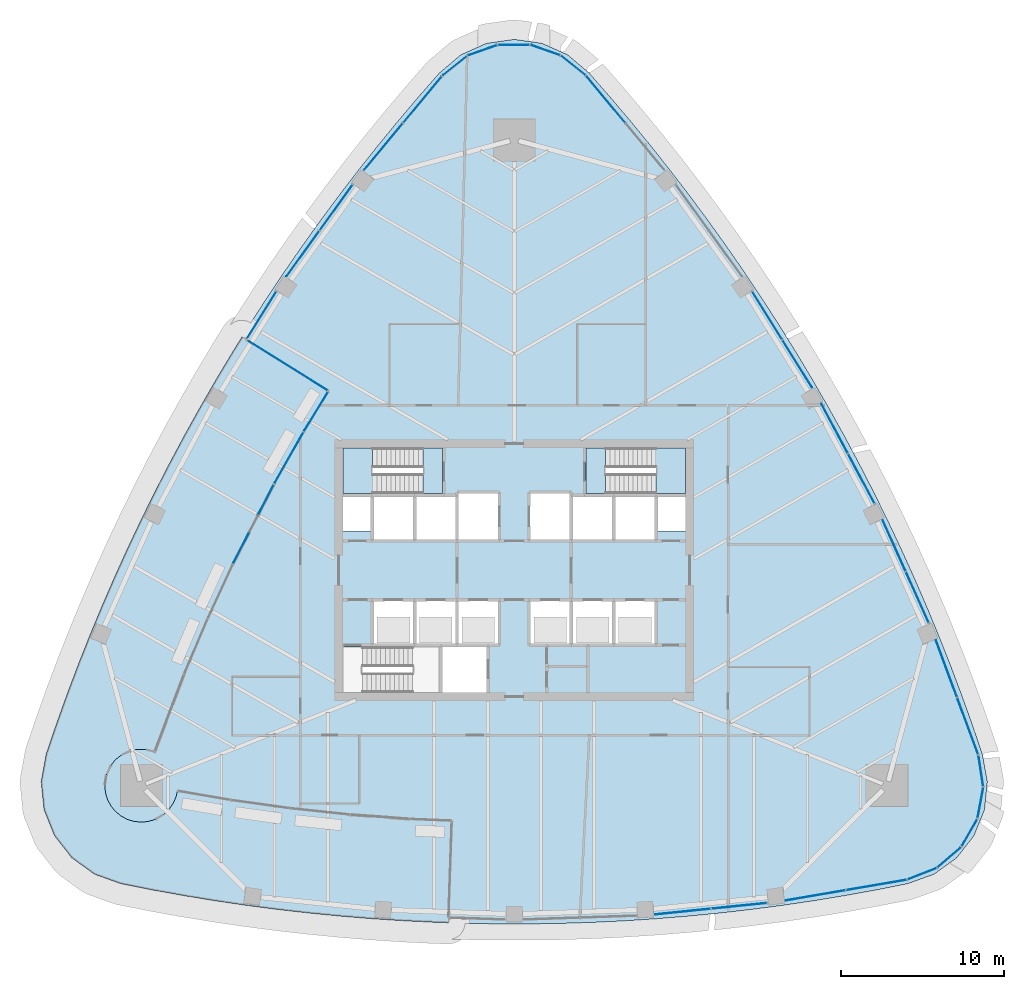
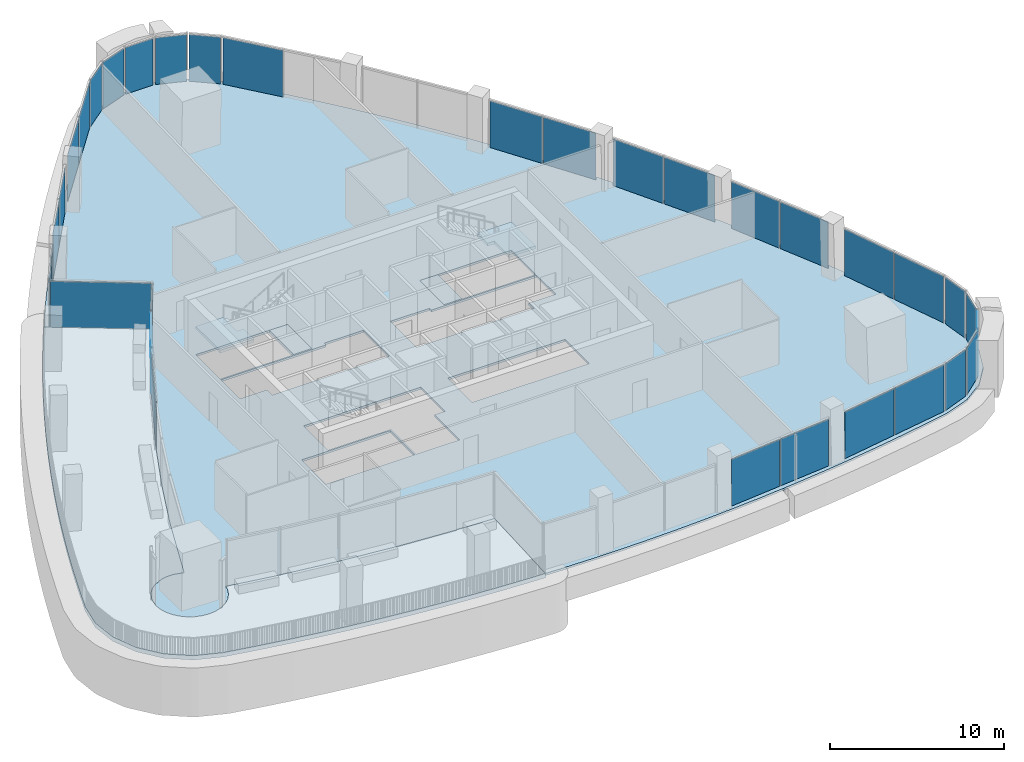
# One storey, part 8 of 18: 32 plates, 6 slabs, 26 elements without a shape of their own.
"""IFC4 building model written with IfcOpenShell, lengths in metres."""

from ifc_helpers import new_model, si_unit, direction, frame, origin, origin_2d, place, context, subcontext, project, spatial, polyline, rectangle, outline, extrude, material, layer, layer_set, type_object, element, aggregate, save


model = new_model("IFC4")

# Units and contexts
model_context = context("Model", 3, precision=1e-05, world=origin(), true_north=direction((0.0, 1.0)))
body_context = subcontext(model_context, "Body", "Model", "MODEL_VIEW")
ifc_project = project(units=[si_unit("LENGTHUNIT", "METRE"), si_unit("AREAUNIT", "SQUARE_METRE"), si_unit("VOLUMEUNIT", "CUBIC_METRE"), si_unit("PLANEANGLEUNIT", "RADIAN"), si_unit("MASSUNIT", "GRAM", prefix="KILO")], contexts=[model_context])

# Site, building, storey
site_placement = place(None, origin())
site = spatial("IfcSite", under=ifc_project, at=site_placement, CompositionType="ELEMENT")
building_placement = place(site_placement, origin())
building = spatial("IfcBuilding", under=site, at=building_placement, Name="Sierra Prisma Convention Tower", CompositionType="ELEMENT")
storey_placement = place(building_placement, frame((0.0, 0.0, 205.800048828125)))
storey = spatial("IfcBuildingStorey", under=building, at=storey_placement, Name="L46", CompositionType="ELEMENT", Elevation=205.800048828125)

# Curtain wall, plates
ifc_material_1 = material(Name="Aluminium and glass curtain wall", Category="aluminium")
ifc_layer_1 = layer(ifc_material_1, 0.179931640625)
ifc_layer_set_1 = layer_set([ifc_layer_1], Name="CW-1 Plain shaft curtain wall")
curtain_wall_type_1 = type_object("IfcCurtainWallType", Name="CW-1 Plain shaft curtain wall", PredefinedType="NOTDEFINED", material=ifc_layer_set_1)
curtain_wall_1_placement = place(storey_placement, origin())
curtain_wall_1 = element("IfcCurtainWall", 1, at=curtain_wall_1_placement, inside=storey, type_object=curtain_wall_type_1, Name="CW-1 S5 L46", PredefinedType="NOTDEFINED")
ifc_material_2 = material(Name="Tinted glass bronze-grey IGU", Category="glass")
ifc_layer_2 = layer(ifc_material_2, 0.028076171875)
ifc_layer_set_2 = layer_set([ifc_layer_2], Name="CW-1 glass panel")
plate_type_1 = type_object("IfcPlateType", Name="CW-1 glass panel", PredefinedType="CURTAIN_PANEL", material=ifc_layer_set_2)
plate_1_placement = place(storey_placement, frame((10.32568359375, -20.91650390625, 0.0), z_axis=(0.0, 0.0, 1.0), x_axis=(0.994817936542, 0.101672381373, 0.0)))
plate_1 = element("IfcPlate", 2, at=plate_1_placement, type_object=plate_type_1, Name="CW-1 panel S5.1", PredefinedType="CURTAIN_PANEL", context=body_context, shape_type="SweptSolid", body=[
    extrude(rectangle(XDim=3.406982421875, YDim=0.028076171875, at=origin_2d()), origin(), (0.0, 0.0, 1.0), 3.280029296875),
])
plate_2_placement = place(storey_placement, frame((13.78466796875, -20.56298828125, 0.0), z_axis=(0.0, 0.0, 1.0), x_axis=(0.994817936542, 0.101672381373, 0.0)))
plate_2 = element("IfcPlate", 3, at=plate_2_placement, type_object=plate_type_1, Name="CW-1 panel S5.2", PredefinedType="CURTAIN_PANEL", context=body_context, shape_type="SweptSolid", body=[
    extrude(rectangle(XDim=3.406982421875, YDim=0.028076171875, at=origin_2d()), origin(), (0.0, 0.0, 1.0), 3.280029296875),
])
aggregate(curtain_wall_1, [plate_1, plate_2])

curtain_wall_2_placement = place(storey_placement, origin())
curtain_wall_2 = element("IfcCurtainWall", 4, at=curtain_wall_2_placement, inside=storey, type_object=curtain_wall_type_1, Name="CW-1 S6 L46", PredefinedType="NOTDEFINED")
plate_3_placement = place(storey_placement, frame((18.465576171875, -19.920166015625, 0.0), z_axis=(0.0, 0.0, 1.0), x_axis=(0.985627490503, 0.168933270748, 0.0)))
plate_3 = element("IfcPlate", 5, at=plate_3_placement, type_object=plate_type_1, Name="CW-1 panel S6.1", PredefinedType="CURTAIN_PANEL", context=body_context, shape_type="SweptSolid", body=[
    extrude(rectangle(XDim=3.67919921875, YDim=0.028076171875, at=origin_2d()), origin(), (0.0, 0.0, 1.0), 3.280029296875),
])
plate_4_placement = place(storey_placement, frame((22.1611328125, -19.286865234375, 0.0), z_axis=(0.0, 0.0, 1.0), x_axis=(0.985627490503, 0.168933270748, 0.0)))
plate_4 = element("IfcPlate", 6, at=plate_4_placement, type_object=plate_type_1, Name="CW-1 panel S6.2", PredefinedType="CURTAIN_PANEL", context=body_context, shape_type="SweptSolid", body=[
    extrude(rectangle(XDim=3.67919921875, YDim=0.028076171875, at=origin_2d()), origin(), (0.0, 0.0, 1.0), 3.280029296875),
])
aggregate(curtain_wall_2, [plate_3, plate_4])

# Curtain wall, plate
curtain_wall_3_placement = place(storey_placement, origin())
curtain_wall_3 = element("IfcCurtainWall", 7, at=curtain_wall_3_placement, inside=storey, type_object=curtain_wall_type_1, Name="CW-1 SE1 L46", PredefinedType="NOTDEFINED")
plate_5_placement = place(storey_placement, frame((24.96484375, -18.604248046875, 0.0), z_axis=(0.0, 0.0, 1.0), x_axis=(0.93145791115, 0.363849089261, 0.0)))
plate_5 = element("IfcPlate", 8, at=plate_5_placement, type_object=plate_type_1, Name="CW-1 panel SE1.1", PredefinedType="CURTAIN_PANEL", context=body_context, shape_type="SweptSolid", body=[
    extrude(rectangle(XDim=1.8388671875, YDim=0.028076171875, at=origin_2d()), origin(), (0.0, 0.0, 1.0), 3.280029296875),
])
aggregate(curtain_wall_3, [plate_5])

curtain_wall_4_placement = place(storey_placement, origin())
curtain_wall_4 = element("IfcCurtainWall", 9, at=curtain_wall_4_placement, inside=storey, type_object=curtain_wall_type_1, Name="CW-1 SE2 L46", PredefinedType="NOTDEFINED")
plate_6_placement = place(storey_placement, frame((26.636962890625, -17.599365234375, 0.0), z_axis=(0.0, 0.0, 1.0), x_axis=(0.758494034622, 0.651679982386, 0.0)))
plate_6 = element("IfcPlate", 10, at=plate_6_placement, type_object=plate_type_1, Name="CW-1 panel SE2.1", PredefinedType="CURTAIN_PANEL", context=body_context, shape_type="SweptSolid", body=[
    extrude(rectangle(XDim=1.8388671875, YDim=0.028076171875, at=origin_2d()), origin(), (0.0, 0.0, 1.0), 3.280029296875),
])
aggregate(curtain_wall_4, [plate_6])

curtain_wall_5_placement = place(storey_placement, origin())
curtain_wall_5 = element("IfcCurtainWall", 11, at=curtain_wall_5_placement, inside=storey, type_object=curtain_wall_type_1, Name="CW-1 SE3 L46", PredefinedType="NOTDEFINED")
plate_7_placement = place(storey_placement, frame((27.882080078125, -16.09765625, 0.0), z_axis=(0.0, 0.0, 1.0), x_axis=(0.5, 0.866025403784, 0.0)))
plate_7 = element("IfcPlate", 12, at=plate_7_placement, type_object=plate_type_1, Name="CW-1 panel SE3.1", PredefinedType="CURTAIN_PANEL", context=body_context, shape_type="SweptSolid", body=[
    extrude(rectangle(XDim=1.8388671875, YDim=0.028076171875, at=origin_2d()), origin(), (0.0, 0.0, 1.0), 3.280029296875),
])
aggregate(curtain_wall_5, [plate_7])

curtain_wall_6_placement = place(storey_placement, origin())
curtain_wall_6 = element("IfcCurtainWall", 13, at=curtain_wall_6_placement, inside=storey, type_object=curtain_wall_type_1, Name="CW-1 SE4 L46", PredefinedType="NOTDEFINED")
plate_8_placement = place(storey_placement, frame((28.56005859375, -14.2685546875, 0.0), z_axis=(0.0, 0.0, 1.0), x_axis=(0.185124402573, 0.982715093795, 0.0)))
plate_8 = element("IfcPlate", 14, at=plate_8_placement, type_object=plate_type_1, Name="CW-1 panel SE4.1", PredefinedType="CURTAIN_PANEL", context=body_context, shape_type="SweptSolid", body=[
    extrude(rectangle(XDim=1.8388671875, YDim=0.028076171875, at=origin_2d()), origin(), (0.0, 0.0, 1.0), 3.280029296875),
])
aggregate(curtain_wall_6, [plate_8])

curtain_wall_7_placement = place(storey_placement, origin())
curtain_wall_7 = element("IfcCurtainWall", 15, at=curtain_wall_7_placement, inside=storey, type_object=curtain_wall_type_1, Name="CW-1 SE5 L46", PredefinedType="NOTDEFINED")
plate_9_placement = place(storey_placement, frame((28.593994140625, -12.318115234375, 0.0), z_axis=(0.0, 0.0, 1.0), x_axis=(-0.150626401132, 0.988590758242, 0.0)))
plate_9 = element("IfcPlate", 16, at=plate_9_placement, type_object=plate_type_1, Name="CW-1 panel SE5.1", PredefinedType="CURTAIN_PANEL", context=body_context, shape_type="SweptSolid", body=[
    extrude(rectangle(XDim=1.8388671875, YDim=0.028076171875, at=origin_2d()), origin(), (0.0, 0.0, 1.0), 3.280029296875),
])
aggregate(curtain_wall_7, [plate_9])

# Curtain wall, plates
curtain_wall_8_placement = place(storey_placement, origin())
curtain_wall_8 = element("IfcCurtainWall", 17, at=curtain_wall_8_placement, inside=storey, type_object=curtain_wall_type_1, Name="CW-1 NE1 L46", PredefinedType="NOTDEFINED")
plate_10_placement = place(storey_placement, frame((27.783447265625, -9.548583984375, 0.0), z_axis=(0.0, 0.0, 1.0), x_axis=(-0.34651324124, 0.938045080817, 0.0)))
plate_10 = element("IfcPlate", 18, at=plate_10_placement, type_object=plate_type_1, Name="CW-1 panel NE1.1", PredefinedType="CURTAIN_PANEL", context=body_context, shape_type="SweptSolid", body=[
    extrude(rectangle(XDim=3.67919921875, YDim=0.028076171875, at=origin_2d()), origin(), (0.0, 0.0, 1.0), 3.280029296875),
])
plate_11_placement = place(storey_placement, frame((26.484130859375, -6.03173828125, 0.0), z_axis=(0.0, 0.0, 1.0), x_axis=(-0.34651324124, 0.938045080817, 0.0)))
plate_11 = element("IfcPlate", 19, at=plate_11_placement, type_object=plate_type_1, Name="CW-1 panel NE1.2", PredefinedType="CURTAIN_PANEL", context=body_context, shape_type="SweptSolid", body=[
    extrude(rectangle(XDim=3.67919921875, YDim=0.028076171875, at=origin_2d()), origin(), (0.0, 0.0, 1.0), 3.280029296875),
])
aggregate(curtain_wall_8, [plate_10, plate_11])

curtain_wall_9_placement = place(storey_placement, origin())
curtain_wall_9 = element("IfcCurtainWall", 20, at=curtain_wall_9_placement, inside=storey, type_object=curtain_wall_type_1, Name="CW-1 NE2 L46", PredefinedType="NOTDEFINED")
plate_12_placement = place(storey_placement, frame((24.700439453125, -1.65673828125, 0.0), z_axis=(0.0, 0.0, 1.0), x_axis=(-0.409358103138, 0.912373795873, 0.0)))
plate_12 = element("IfcPlate", 21, at=plate_12_placement, type_object=plate_type_1, Name="CW-1 panel NE2.1", PredefinedType="CURTAIN_PANEL", context=body_context, shape_type="SweptSolid", body=[
    extrude(rectangle(XDim=3.4072265625, YDim=0.028076171875, at=origin_2d()), origin(), (0.0, 0.0, 1.0), 3.280029296875),
])
plate_13_placement = place(storey_placement, frame((23.277099609375, 1.515869140625, 0.0), z_axis=(0.0, 0.0, 1.0), x_axis=(-0.409358103138, 0.912373795873, 0.0)))
plate_13 = element("IfcPlate", 22, at=plate_13_placement, type_object=plate_type_1, Name="CW-1 panel NE2.2", PredefinedType="CURTAIN_PANEL", context=body_context, shape_type="SweptSolid", body=[
    extrude(rectangle(XDim=3.4072265625, YDim=0.028076171875, at=origin_2d()), origin(), (0.0, 0.0, 1.0), 3.280029296875),
])
aggregate(curtain_wall_9, [plate_12, plate_13])

curtain_wall_10_placement = place(storey_placement, origin())
curtain_wall_10 = element("IfcCurtainWall", 23, at=curtain_wall_10_placement, inside=storey, type_object=curtain_wall_type_1, Name="CW-1 NE3 L46", PredefinedType="NOTDEFINED")
plate_14_placement = place(storey_placement, frame((21.267578125, 5.614501953125, 0.0), z_axis=(0.0, 0.0, 1.0), x_axis=(-0.470316441668, 0.882497844018, 0.0)))
plate_14 = element("IfcPlate", 24, at=plate_14_placement, type_object=plate_type_1, Name="CW-1 panel NE3.1", PredefinedType="CURTAIN_PANEL", context=body_context, shape_type="SweptSolid", body=[
    extrude(rectangle(XDim=3.423095703125, YDim=0.028076171875, at=origin_2d()), origin(), (0.0, 0.0, 1.0), 3.280029296875),
])
plate_15_placement = place(storey_placement, frame((19.62451171875, 8.697265625, 0.0), z_axis=(0.0, 0.0, 1.0), x_axis=(-0.470316441668, 0.882497844018, 0.0)))
plate_15 = element("IfcPlate", 25, at=plate_15_placement, type_object=plate_type_1, Name="CW-1 panel NE3.2", PredefinedType="CURTAIN_PANEL", context=body_context, shape_type="SweptSolid", body=[
    extrude(rectangle(XDim=3.423095703125, YDim=0.028076171875, at=origin_2d()), origin(), (0.0, 0.0, 1.0), 3.280029296875),
])
aggregate(curtain_wall_10, [plate_14, plate_15])

curtain_wall_11_placement = place(storey_placement, origin())
curtain_wall_11 = element("IfcCurtainWall", 26, at=curtain_wall_11_placement, inside=storey, type_object=curtain_wall_type_1, Name="CW-1 NE4 L46", PredefinedType="NOTDEFINED")
plate_16_placement = place(storey_placement, frame((17.34423828125, 12.646728515625, 0.0), z_axis=(0.0, 0.0, 1.0), x_axis=(-0.529107330871, 0.848554908311, 0.0)))
plate_16 = element("IfcPlate", 27, at=plate_16_placement, type_object=plate_type_1, Name="CW-1 panel NE4.1", PredefinedType="CURTAIN_PANEL", context=body_context, shape_type="SweptSolid", body=[
    extrude(rectangle(XDim=3.423095703125, YDim=0.028076171875, at=origin_2d()), origin(), (0.0, 0.0, 1.0), 3.280029296875),
])
plate_17_placement = place(storey_placement, frame((15.49609375, 15.611083984375, 0.0), z_axis=(0.0, 0.0, 1.0), x_axis=(-0.529107330871, 0.848554908311, 0.0)))
plate_17 = element("IfcPlate", 28, at=plate_17_placement, type_object=plate_type_1, Name="CW-1 panel NE4.2", PredefinedType="CURTAIN_PANEL", context=body_context, shape_type="SweptSolid", body=[
    extrude(rectangle(XDim=3.423095703125, YDim=0.028076171875, at=origin_2d()), origin(), (0.0, 0.0, 1.0), 3.280029296875),
])
aggregate(curtain_wall_11, [plate_16, plate_17])

# Curtain wall, plate
curtain_wall_12_placement = place(storey_placement, origin())
curtain_wall_12 = element("IfcCurtainWall", 29, at=curtain_wall_12_placement, inside=storey, type_object=curtain_wall_type_1, Name="CW-1 NE6 L46", PredefinedType="NOTDEFINED")
plate_18_placement = place(storey_placement, frame((5.622314453125, 28.83544921875, 0.0), z_axis=(0.0, 0.0, 1.0), x_axis=(-0.639114249263, 0.76911181007, 0.0)))
plate_18 = element("IfcPlate", 30, at=plate_18_placement, type_object=plate_type_1, Name="CW-1 panel NE6.2", PredefinedType="CURTAIN_PANEL", context=body_context, shape_type="SweptSolid", body=[
    extrude(rectangle(XDim=3.67919921875, YDim=0.028076171875, at=origin_2d()), origin(), (0.0, 0.0, 1.0), 3.280029296875),
])
aggregate(curtain_wall_12, [plate_18])

curtain_wall_13_placement = place(storey_placement, origin())
curtain_wall_13 = element("IfcCurtainWall", 31, at=curtain_wall_13_placement, inside=storey, type_object=curtain_wall_type_1, Name="CW-1 N1 L46", PredefinedType="NOTDEFINED")
plate_19_placement = place(storey_placement, frame((3.629150390625, 30.92236328125, 0.0), z_axis=(0.0, 0.0, 1.0), x_axis=(-0.780831510019, 0.624741668982, 0.0)))
plate_19 = element("IfcPlate", 32, at=plate_19_placement, type_object=plate_type_1, Name="CW-1 panel N1.1", PredefinedType="CURTAIN_PANEL", context=body_context, shape_type="SweptSolid", body=[
    extrude(rectangle(XDim=1.8388671875, YDim=0.028076171875, at=origin_2d()), origin(), (0.0, 0.0, 1.0), 3.280029296875),
])
aggregate(curtain_wall_13, [plate_19])

curtain_wall_14_placement = place(storey_placement, origin())
curtain_wall_14 = element("IfcCurtainWall", 33, at=curtain_wall_14_placement, inside=storey, type_object=curtain_wall_type_1, Name="CW-1 N2 L46", PredefinedType="NOTDEFINED")
plate_20_placement = place(storey_placement, frame((1.923095703125, 31.867919921875, 0.0), z_axis=(0.0, 0.0, 1.0), x_axis=(-0.943618437195, 0.331035111409, 0.0)))
plate_20 = element("IfcPlate", 34, at=plate_20_placement, type_object=plate_type_1, Name="CW-1 panel N2.1", PredefinedType="CURTAIN_PANEL", context=body_context, shape_type="SweptSolid", body=[
    extrude(rectangle(XDim=1.8388671875, YDim=0.028076171875, at=origin_2d()), origin(), (0.0, 0.0, 1.0), 3.280029296875),
])
aggregate(curtain_wall_14, [plate_20])

curtain_wall_15_placement = place(storey_placement, origin())
curtain_wall_15 = element("IfcCurtainWall", 35, at=curtain_wall_15_placement, inside=storey, type_object=curtain_wall_type_1, Name="CW-1 N3 L46", PredefinedType="NOTDEFINED")
plate_21_placement = place(storey_placement, frame((0.0, 32.195556640625, 0.0), z_axis=(0.0, 0.0, 1.0), x_axis=(-1.0, 0.0, 0.0)))
plate_21 = element("IfcPlate", 36, at=plate_21_placement, type_object=plate_type_1, Name="CW-1 panel N3.1", PredefinedType="CURTAIN_PANEL", context=body_context, shape_type="SweptSolid", body=[
    extrude(rectangle(XDim=1.8388671875, YDim=0.028076171875, at=origin_2d()), origin(), (0.0, 0.0, 1.0), 3.280029296875),
])
aggregate(curtain_wall_15, [plate_21])

curtain_wall_16_placement = place(storey_placement, origin())
curtain_wall_16 = element("IfcCurtainWall", 37, at=curtain_wall_16_placement, inside=storey, type_object=curtain_wall_type_1, Name="CW-1 N4 L46", PredefinedType="NOTDEFINED")
plate_22_placement = place(storey_placement, frame((-1.923095703125, 31.867919921875, 0.0), z_axis=(0.0, 0.0, 1.0), x_axis=(-0.943618437195, -0.331035111409, 0.0)))
plate_22 = element("IfcPlate", 38, at=plate_22_placement, type_object=plate_type_1, Name="CW-1 panel N4.1", PredefinedType="CURTAIN_PANEL", context=body_context, shape_type="SweptSolid", body=[
    extrude(rectangle(XDim=1.8388671875, YDim=0.028076171875, at=origin_2d()), origin(), (0.0, 0.0, 1.0), 3.280029296875),
])
aggregate(curtain_wall_16, [plate_22])

curtain_wall_17_placement = place(storey_placement, origin())
curtain_wall_17 = element("IfcCurtainWall", 39, at=curtain_wall_17_placement, inside=storey, type_object=curtain_wall_type_1, Name="CW-1 N5 L46", PredefinedType="NOTDEFINED")
plate_23_placement = place(storey_placement, frame((-3.629150390625, 30.92236328125, 0.0), z_axis=(0.0, 0.0, 1.0), x_axis=(-0.780831510019, -0.624741668982, 0.0)))
plate_23 = element("IfcPlate", 40, at=plate_23_placement, type_object=plate_type_1, Name="CW-1 panel N5.1", PredefinedType="CURTAIN_PANEL", context=body_context, shape_type="SweptSolid", body=[
    extrude(rectangle(XDim=1.8388671875, YDim=0.028076171875, at=origin_2d()), origin(), (0.0, 0.0, 1.0), 3.280029296875),
])
aggregate(curtain_wall_17, [plate_23])

# Curtain wall, plates
curtain_wall_18_placement = place(storey_placement, origin())
curtain_wall_18 = element("IfcCurtainWall", 41, at=curtain_wall_18_placement, inside=storey, type_object=curtain_wall_type_1, Name="CW-1 NW1 L46", PredefinedType="NOTDEFINED")
plate_24_placement = place(storey_placement, frame((-5.622314453125, 28.83544921875, 0.0), z_axis=(0.0, 0.0, 1.0), x_axis=(-0.639114249263, -0.76911181007, 0.0)))
plate_24 = element("IfcPlate", 42, at=plate_24_placement, type_object=plate_type_1, Name="CW-1 panel NW1.1", PredefinedType="CURTAIN_PANEL", context=body_context, shape_type="SweptSolid", body=[
    extrude(rectangle(XDim=3.67919921875, YDim=0.028076171875, at=origin_2d()), origin(), (0.0, 0.0, 1.0), 3.280029296875),
])
plate_25_placement = place(storey_placement, frame((-8.0185546875, 25.951904296875, 0.0), z_axis=(0.0, 0.0, 1.0), x_axis=(-0.639114249263, -0.76911181007, 0.0)))
plate_25 = element("IfcPlate", 43, at=plate_25_placement, type_object=plate_type_1, Name="CW-1 panel NW1.2", PredefinedType="CURTAIN_PANEL", context=body_context, shape_type="SweptSolid", body=[
    extrude(rectangle(XDim=3.67919921875, YDim=0.028076171875, at=origin_2d()), origin(), (0.0, 0.0, 1.0), 3.280029296875),
])
aggregate(curtain_wall_18, [plate_24, plate_25])

curtain_wall_19_placement = place(storey_placement, origin())
curtain_wall_19 = element("IfcCurtainWall", 44, at=curtain_wall_19_placement, inside=storey, type_object=curtain_wall_type_1, Name="CW-1 NW2 L46", PredefinedType="NOTDEFINED")
plate_26_placement = place(storey_placement, frame((-10.91552734375, 22.219482421875, 0.0), z_axis=(0.0, 0.0, 1.0), x_axis=(-0.585459833404, -0.810701414499, 0.0)))
plate_26 = element("IfcPlate", 45, at=plate_26_placement, type_object=plate_type_1, Name="CW-1 panel NW2.1", PredefinedType="CURTAIN_PANEL", context=body_context, shape_type="SweptSolid", body=[
    extrude(rectangle(XDim=3.406982421875, YDim=0.028076171875, at=origin_2d()), origin(), (0.0, 0.0, 1.0), 3.280029296875),
])
plate_27_placement = place(storey_placement, frame((-12.951416015625, 19.400390625, 0.0), z_axis=(0.0, 0.0, 1.0), x_axis=(-0.585459833404, -0.810701414499, 0.0)))
plate_27 = element("IfcPlate", 46, at=plate_27_placement, type_object=plate_type_1, Name="CW-1 panel NW2.2", PredefinedType="CURTAIN_PANEL", context=body_context, shape_type="SweptSolid", body=[
    extrude(rectangle(XDim=3.406982421875, YDim=0.028076171875, at=origin_2d()), origin(), (0.0, 0.0, 1.0), 3.280029296875),
])
aggregate(curtain_wall_19, [plate_26, plate_27])

# Curtain wall, plate
curtain_wall_20_placement = place(storey_placement, origin())
curtain_wall_20 = element("IfcCurtainWall", 47, at=curtain_wall_20_placement, inside=storey, type_object=curtain_wall_type_1, Name="CW-1 NW3 L46", PredefinedType="NOTDEFINED")
plate_28_placement = place(storey_placement, frame((-15.48681640625, 15.625732421875, 0.0), z_axis=(0.0, 0.0, 1.0), x_axis=(-0.529107330871, -0.848554908311, 0.0)))
plate_28 = element("IfcPlate", 48, at=plate_28_placement, type_object=plate_type_1, Name="CW-1 panel NW3.1", PredefinedType="CURTAIN_PANEL", context=body_context, shape_type="SweptSolid", body=[
    extrude(rectangle(XDim=3.38818359375, YDim=0.028076171875, at=origin_2d()), origin(), (0.0, 0.0, 1.0), 3.280029296875),
])
aggregate(curtain_wall_20, [plate_28])

ifc_material_3 = material(Name="Aluminium and glass curtain wall", Category="aluminium")
ifc_layer_3 = layer(ifc_material_3, 0.179931640625)
ifc_layer_set_3 = layer_set([ifc_layer_3], Name="CW-6 Terrace recess curtain wall")
curtain_wall_type_2 = type_object("IfcCurtainWallType", Name="CW-6 Terrace recess curtain wall", PredefinedType="NOTDEFINED", material=ifc_layer_set_3)
curtain_wall_21_placement = place(storey_placement, origin())
curtain_wall_21 = element("IfcCurtainWall", 49, at=curtain_wall_21_placement, inside=storey, type_object=curtain_wall_type_2, Name="CW-6 R1 L46", PredefinedType="NOTDEFINED")
ifc_material_4 = material(Name="Tinted glass bronze-grey IGU", Category="glass")
ifc_layer_4 = layer(ifc_material_4, 0.028076171875)
ifc_layer_set_4 = layer_set([ifc_layer_4], Name="CW-6 glass panel")
plate_type_2 = type_object("IfcPlateType", Name="CW-6 glass panel", PredefinedType="CURTAIN_PANEL", material=ifc_layer_set_4)
plate_29_placement = place(storey_placement, frame((-12.13427734375, 9.744384765625, 0.0), z_axis=(0.0, 0.0, 1.0), x_axis=(-0.521721044462, -0.853116142014, 0.0)))
plate_29 = element("IfcPlate", 50, at=plate_29_placement, type_object=plate_type_2, Name="CW-6 panel R1.1", PredefinedType="CURTAIN_PANEL", context=body_context, shape_type="SweptSolid", body=[
    extrude(rectangle(XDim=2.765380859375, YDim=0.028076171875, at=origin_2d()), origin(), (0.0, 0.0, 1.0), 3.219970703125),
])
aggregate(curtain_wall_21, [plate_29])

curtain_wall_22_placement = place(storey_placement, origin())
curtain_wall_22 = element("IfcCurtainWall", 51, at=curtain_wall_22_placement, inside=storey, type_object=curtain_wall_type_2, Name="CW-6 R2 L46", PredefinedType="NOTDEFINED")
plate_30_placement = place(storey_placement, frame((-13.798583984375, 6.905029296875, 0.0), z_axis=(0.0, 0.0, 1.0), x_axis=(-0.492927219133, -0.870070546932, 0.0)))
plate_30 = element("IfcPlate", 52, at=plate_30_placement, type_object=plate_type_2, Name="CW-6 panel R2.1", PredefinedType="CURTAIN_PANEL", context=body_context, shape_type="SweptSolid", body=[
    extrude(rectangle(XDim=3.537841796875, YDim=0.028076171875, at=origin_2d()), origin(), (0.0, 0.0, 1.0), 3.219970703125),
])
aggregate(curtain_wall_22, [plate_30])

curtain_wall_23_placement = place(storey_placement, origin())
curtain_wall_23 = element("IfcCurtainWall", 53, at=curtain_wall_23_placement, inside=storey, type_object=curtain_wall_type_2, Name="CW-6 R3 L46", PredefinedType="NOTDEFINED")
plate_31_placement = place(storey_placement, frame((-15.9658203125, 2.851806640625, 0.0), z_axis=(0.0, 0.0, 1.0), x_axis=(-0.457081918577, -0.889424600351, 0.0)))
plate_31 = element("IfcPlate", 54, at=plate_31_placement, type_object=plate_type_2, Name="CW-6 panel R3.1", PredefinedType="CURTAIN_PANEL", context=body_context, shape_type="SweptSolid", body=[
    extrude(rectangle(XDim=5.376708984375, YDim=0.028076171875, at=origin_2d()), origin(), (0.0, 0.0, 1.0), 3.219970703125),
])
aggregate(curtain_wall_23, [plate_31])

curtain_wall_24_placement = place(storey_placement, origin())
curtain_wall_24 = element("IfcCurtainWall", 55, at=curtain_wall_24_placement, inside=storey, type_object=curtain_wall_type_2, Name="CW-6 RT1 L46", PredefinedType="NOTDEFINED")
plate_32_placement = place(storey_placement, frame((-13.898193359375, 12.55615234375, 0.0), z_axis=(0.0, 0.0, 1.0), x_axis=(0.848554908311, -0.529107330871, 0.0)))
plate_32 = element("IfcPlate", 56, at=plate_32_placement, type_object=plate_type_2, Name="CW-6 panel RT1.1", PredefinedType="CURTAIN_PANEL", context=body_context, shape_type="SweptSolid", body=[
    extrude(rectangle(XDim=5.803955078125, YDim=0.028076171875, at=origin_2d()), origin(), (0.0, 0.0, 1.0), 3.219970703125),
])
aggregate(curtain_wall_24, [plate_32])

# Slab
ifc_material_5 = material(Name="Concrete C35/45", Category="concrete")
ifc_layer_5 = layer(ifc_material_5, 0.14990234375)
ifc_layer_set_5 = layer_set([ifc_layer_5], Name="Composite floor slab 150")
slab_type_1 = type_object("IfcSlabType", Name="Composite floor slab 150", PredefinedType="FLOOR", material=ifc_layer_set_5)
slab_1_placement = place(storey_placement, frame((0.0, 0.0, -0.150146484375)))
element("IfcSlab", 57, at=slab_1_placement, inside=storey, type_object=slab_type_1, Name="Floor slab L46 floor", PredefinedType="FLOOR", context=body_context, shape_type="SweptSolid", body=[
    extrude(outline(polyline([(-16.257080078125, 14.9873046875), (-16.6875, 14.294921875), (-11.37646484375, 10.983642578125), (-12.89208984375, 8.505126953125), (-14.705078125, 5.304931640625), (-17.2265625, 0.3984375), (-18.773193359375, -2.9384765625), (-20.2099609375, -6.32421875), (-22.023681640625, -11.11474609375), (-22.6318359375, -10.96533203125), (-23.070556640625, -10.96533203125), (-23.5009765625, -11.051025390625), (-24.0947265625, -11.331787109375), (-24.43408203125, -11.6103515625), (-24.71240234375, -11.949462890625), (-24.9931640625, -12.54345703125), (-25.089599609375, -13.193115234375), (-25.046630859375, -13.6298828125), (-24.919189453125, -14.0498046875), (-24.71240234375, -14.436767578125), (-24.43408203125, -14.77587890625), (-24.0947265625, -15.054443359375), (-23.707763671875, -15.26123046875), (-23.287841796875, -15.388671875), (-22.85107421875, -15.431640625), (-22.41455078125, -15.388671875), (-21.99462890625, -15.26123046875), (-21.43115234375, -14.923583984375), (-21.120849609375, -14.61328125), (-20.876953125, -14.248291015625), (-20.708984375, -13.843017578125), (-20.638671875, -13.515380859375), (-17.4013671875, -14.071533203125), (-13.758544921875, -14.579345703125), (-10.101318359375, -14.96826171875), (-6.43310546875, -15.23779296875), (-3.823974609375, -15.346435546875), (-4.035888671875, -21.59912109375), (-2.9111328125, -21.6357421875), (-0.970458984375, -21.66748046875), (0.970458984375, -21.66748046875), (2.9111328125, -21.6357421875), (4.850830078125, -21.572509765625), (6.78955078125, -21.477783203125), (8.726318359375, -21.351318359375), (10.66064453125, -21.193359375), (12.59228515625, -21.00390625), (14.5205078125, -20.782958984375), (16.445068359375, -20.53076171875), (18.364990234375, -20.2470703125), (20.2802734375, -19.93212890625), (22.18994140625, -19.586181640625), (24.09375, -19.208984375), (25.71435546875, -18.6279296875), (27.10986328125, -17.6201171875), (28.171142578125, -16.2646484375), (28.814453125, -14.667724609375), (28.989501953125, -12.955322265625), (28.682373046875, -11.261474609375), (28.05712890625, -9.424072265625), (27.40185546875, -7.59716796875), (26.717041015625, -5.781005859375), (26.00244140625, -3.976318359375), (25.2587890625, -2.18359375), (24.486083984375, -0.4033203125), (23.684326171875, 1.3642578125), (22.85400390625, 3.11865234375), (21.9951171875, 4.859130859375), (21.10791015625, 6.585205078125), (20.192626953125, 8.296875), (19.249755859375, 9.993408203125), (18.279296875, 11.674072265625), (17.28173828125, 13.3388671875), (16.257080078125, 14.9873046875), (15.20556640625, 16.61865234375), (14.127685546875, 18.23291015625), (13.023681640625, 19.8291015625), (11.893798828125, 21.4072265625), (10.73828125, 22.966552734375), (9.5576171875, 24.507080078125), (8.35205078125, 26.028076171875), (7.12158203125, 27.529296875), (5.8671875, 29.010009765625), (4.588623046875, 30.470458984375), (3.275146484375, 31.583251953125), (1.70458984375, 32.287841796875), (0.0, 32.529052734375), (-1.70458984375, 32.287841796875), (-3.275146484375, 31.583251953125), (-4.588623046875, 30.470458984375), (-5.8671875, 29.010009765625), (-7.12158203125, 27.529296875), (-8.35205078125, 26.028076171875), (-9.5576171875, 24.507080078125), (-10.73828125, 22.966552734375), (-11.893798828125, 21.4072265625), (-13.023681640625, 19.8291015625), (-14.127685546875, 18.23291015625), (-15.20556640625, 16.61865234375), (-16.257080078125, 14.9873046875)]), holes=[polyline([(-4.60009765625, -7.5), (-10.5, -7.5), (-10.5, -4.699951171875), (-4.60009765625, -4.699951171875), (-4.60009765625, -7.5)]), polyline([(-8.699951171875, -4.60009765625), (-8.699951171875, -1.800048828125), (-6.10009765625, -1.800048828125), (-3.5, -1.800048828125), (-0.89990234375, -1.800048828125), (-0.89990234375, -4.60009765625), (-1.60009765625, -4.60009765625), (-1.60009765625, -7.5), (-4.5, -7.5), (-4.5, -4.60009765625), (-6.10009765625, -4.60009765625), (-8.699951171875, -4.60009765625)]), polyline([(-10.5, 4.60009765625), (-8.699951171875, 4.60009765625), (-6.10009765625, 4.60009765625), (-3.5, 4.60009765625), (-3.5, 4.800048828125), (-0.89990234375, 4.800048828125), (-0.89990234375, 1.800048828125), (-3.5, 1.800048828125), (-6.10009765625, 1.800048828125), (-8.699951171875, 1.800048828125), (-8.699951171875, 2.39990234375), (-10.5, 2.39990234375), (-10.5, 4.60009765625)]), polyline([(-10.5, 4.699951171875), (-10.5, 7.5), (-4.39990234375, 7.5), (-4.39990234375, 4.699951171875), (-10.5, 4.699951171875)]), polyline([(6.10009765625, -1.800048828125), (8.699951171875, -1.800048828125), (8.699951171875, -4.60009765625), (6.10009765625, -4.60009765625), (3.5, -4.60009765625), (0.89990234375, -4.60009765625), (0.89990234375, -1.800048828125), (3.5, -1.800048828125), (6.10009765625, -1.800048828125)]), polyline([(8.699951171875, 4.60009765625), (10.5, 4.60009765625), (10.5, 2.39990234375), (8.699951171875, 2.39990234375), (8.699951171875, 1.800048828125), (6.10009765625, 1.800048828125), (3.5, 1.800048828125), (0.89990234375, 1.800048828125), (0.89990234375, 4.800048828125), (3.5, 4.800048828125), (3.5, 4.60009765625), (6.10009765625, 4.60009765625), (8.699951171875, 4.60009765625)]), polyline([(4.39990234375, 4.699951171875), (4.39990234375, 7.5), (10.5, 7.5), (10.5, 4.699951171875), (4.39990234375, 4.699951171875)])]), origin(), (0.0, 0.0, 1.0), 0.150146484375),
])

# Stair, slab
ifc_material_6 = material(Name="Concrete C30/37", Category="concrete")
stair_type = type_object("IfcStairType", Name="Stair dog-leg 1200 RC", PredefinedType="HALF_TURN_STAIR", material=ifc_material_6)
stair_1_placement = place(storey_placement, origin())
stair_1 = element("IfcStair", 58, at=stair_1_placement, inside=storey, type_object=stair_type, Name="L46 S3", PredefinedType="HALF_TURN_STAIR")
ifc_material_7 = material(Name="Concrete C35/45", Category="concrete")
ifc_layer_6 = layer(ifc_material_7, 0.199951171875)
ifc_layer_set_6 = layer_set([ifc_layer_6], Name="Stair landing slab")
slab_type_2 = type_object("IfcSlabType", Name="Stair landing slab", PredefinedType="LANDING", material=ifc_layer_set_6)
slab_2_placement = place(storey_placement, frame((0.0, 0.0, 1.800048828125)))
slab_2 = element("IfcSlab", 59, at=slab_2_placement, type_object=slab_type_2, Name="S3 landing 1", PredefinedType="LANDING", context=body_context, shape_type="SweptSolid", body=[
    extrude(outline(polyline([(-8.22998046875, 5.89990234375), (-8.22998046875, 4.699951171875), (-10.5, 4.699951171875), (-10.5, 7.5), (-8.677978515625, 7.5), (-8.677978515625, 5.89990234375), (-8.22998046875, 5.89990234375)])), origin(), (0.0, 0.0, 1.0), 0.199951171875),
])
aggregate(stair_1, [slab_2])

# Slab
slab_3_placement = place(storey_placement, frame((0.0, 0.0, -0.199951171875)))
element("IfcSlab", 60, at=slab_3_placement, inside=storey, type_object=slab_type_2, Name="S3 floor landing L46", PredefinedType="LANDING", context=body_context, shape_type="SweptSolid", body=[
    extrude(outline(polyline([(-4.39990234375, 7.5), (-5.60205078125, 7.5), (-5.60205078125, 4.699951171875), (-4.39990234375, 4.699951171875), (-4.39990234375, 7.5)])), origin(), (0.0, 0.0, 1.0), 0.199951171875),
])

# Stair, slab
stair_2_placement = place(storey_placement, origin())
stair_2 = element("IfcStair", 61, at=stair_2_placement, inside=storey, type_object=stair_type, Name="L46 S4", PredefinedType="HALF_TURN_STAIR")
slab_4_placement = place(storey_placement, frame((0.0, 0.0, 1.800048828125)))
slab_4 = element("IfcSlab", 62, at=slab_4_placement, type_object=slab_type_2, Name="S4 landing 1", PredefinedType="LANDING", context=body_context, shape_type="SweptSolid", body=[
    extrude(outline(polyline([(10.5, 7.5), (10.5, 4.699951171875), (8.677978515625, 4.699951171875), (8.677978515625, 6.300048828125), (8.22998046875, 6.300048828125), (8.22998046875, 7.5), (10.5, 7.5)])), origin(), (0.0, 0.0, 1.0), 0.199951171875),
])
aggregate(stair_2, [slab_4])

# Slabs
slab_5_placement = place(storey_placement, frame((0.0, 0.0, -0.199951171875)))
element("IfcSlab", 63, at=slab_5_placement, inside=storey, type_object=slab_type_2, Name="S4 floor landing L46", PredefinedType="LANDING", context=body_context, shape_type="SweptSolid", body=[
    extrude(outline(polyline([(4.39990234375, 4.699951171875), (5.60205078125, 4.699951171875), (5.60205078125, 7.5), (4.39990234375, 7.5), (4.39990234375, 4.699951171875)])), origin(), (0.0, 0.0, 1.0), 0.199951171875),
])
ifc_material_8 = material(Name="Concrete C50/60", Category="concrete")
ifc_layer_7 = layer(ifc_material_8, 0.300048828125)
ifc_layer_set_7 = layer_set([ifc_layer_7], Name="Terrace slab")
slab_type_3 = type_object("IfcSlabType", Name="Terrace slab", PredefinedType="FLOOR", material=ifc_layer_set_7)
slab_6_placement = place(storey_placement, frame((0.0, 0.0, -0.300048828125)))
element("IfcSlab", 64, at=slab_6_placement, inside=storey, type_object=slab_type_3, Name="Terrace slab L46", PredefinedType="FLOOR", context=body_context, shape_type="SweptSolid", body=[
    extrude(outline(polyline([(-16.6875, 14.294921875), (-17.28173828125, 13.3388671875), (-18.279296875, 11.674072265625), (-19.249755859375, 9.993408203125), (-20.192626953125, 8.296875), (-21.10791015625, 6.585205078125), (-21.9951171875, 4.859130859375), (-22.85400390625, 3.11865234375), (-23.684326171875, 1.3642578125), (-24.486083984375, -0.4033203125), (-25.2587890625, -2.18359375), (-26.00244140625, -3.976318359375), (-26.717041015625, -5.781005859375), (-27.40185546875, -7.59716796875), (-28.05712890625, -9.424072265625), (-28.682373046875, -11.261474609375), (-28.989501953125, -12.955322265625), (-28.814453125, -14.667724609375), (-28.171142578125, -16.2646484375), (-27.10986328125, -17.6201171875), (-25.71435546875, -18.6279296875), (-24.09375, -19.208984375), (-22.18994140625, -19.586181640625), (-20.2802734375, -19.93212890625), (-18.364990234375, -20.2470703125), (-16.445068359375, -20.53076171875), (-14.5205078125, -20.782958984375), (-12.59228515625, -21.00390625), (-10.66064453125, -21.193359375), (-8.726318359375, -21.351318359375), (-6.78955078125, -21.477783203125), (-4.850830078125, -21.572509765625), (-4.035888671875, -21.59912109375), (-3.823974609375, -15.346435546875), (-6.43310546875, -15.23779296875), (-10.101318359375, -14.96826171875), (-13.758544921875, -14.579345703125), (-17.4013671875, -14.071533203125), (-20.638671875, -13.515380859375), (-20.708984375, -13.843017578125), (-20.876953125, -14.248291015625), (-21.120849609375, -14.61328125), (-21.43115234375, -14.923583984375), (-21.99462890625, -15.26123046875), (-22.41455078125, -15.388671875), (-22.85107421875, -15.431640625), (-23.287841796875, -15.388671875), (-23.707763671875, -15.26123046875), (-24.0947265625, -15.054443359375), (-24.43408203125, -14.77587890625), (-24.71240234375, -14.436767578125), (-24.919189453125, -14.0498046875), (-25.046630859375, -13.6298828125), (-25.089599609375, -13.193115234375), (-24.9931640625, -12.54345703125), (-24.71240234375, -11.949462890625), (-24.43408203125, -11.6103515625), (-24.0947265625, -11.331787109375), (-23.5009765625, -11.051025390625), (-23.070556640625, -10.96533203125), (-22.6318359375, -10.96533203125), (-22.023681640625, -11.11474609375), (-20.2099609375, -6.32421875), (-18.773193359375, -2.9384765625), (-17.2265625, 0.3984375), (-14.705078125, 5.304931640625), (-12.89208984375, 8.505126953125), (-11.37646484375, 10.983642578125), (-16.6875, 14.294921875)])), origin(), (0.0, 0.0, 1.0), 0.300048828125),
])

save(model, "model.ifc")
